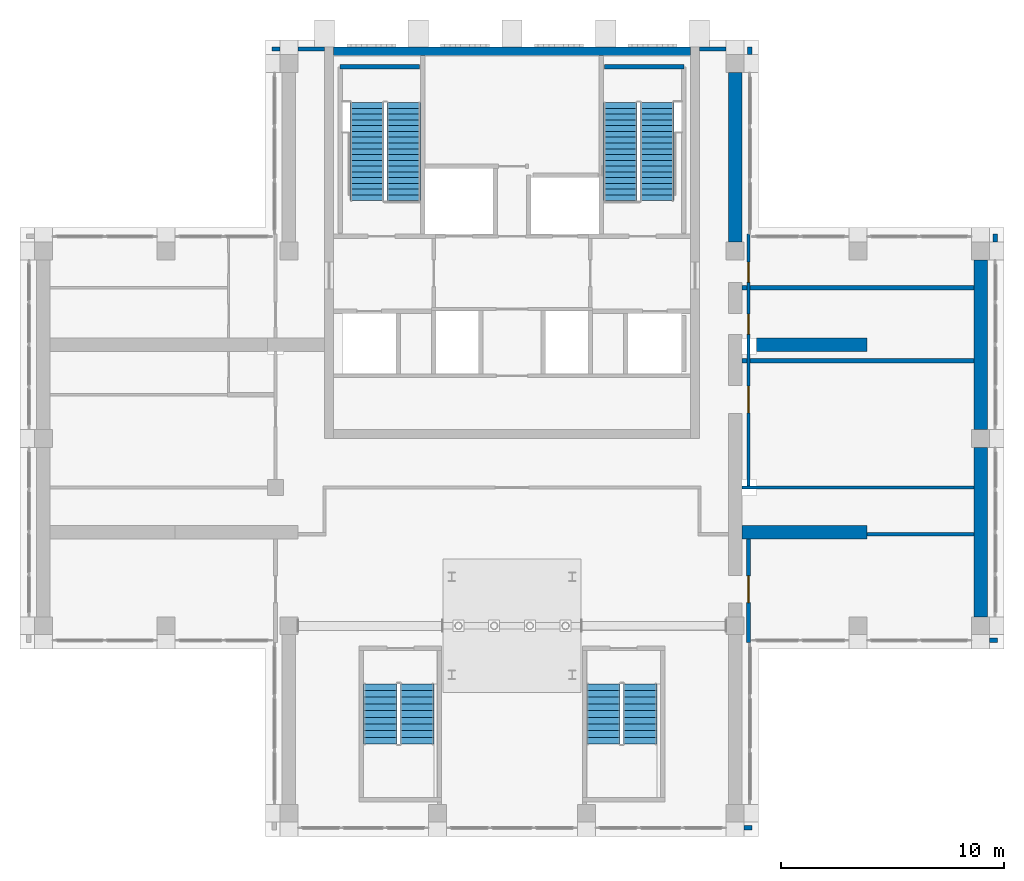
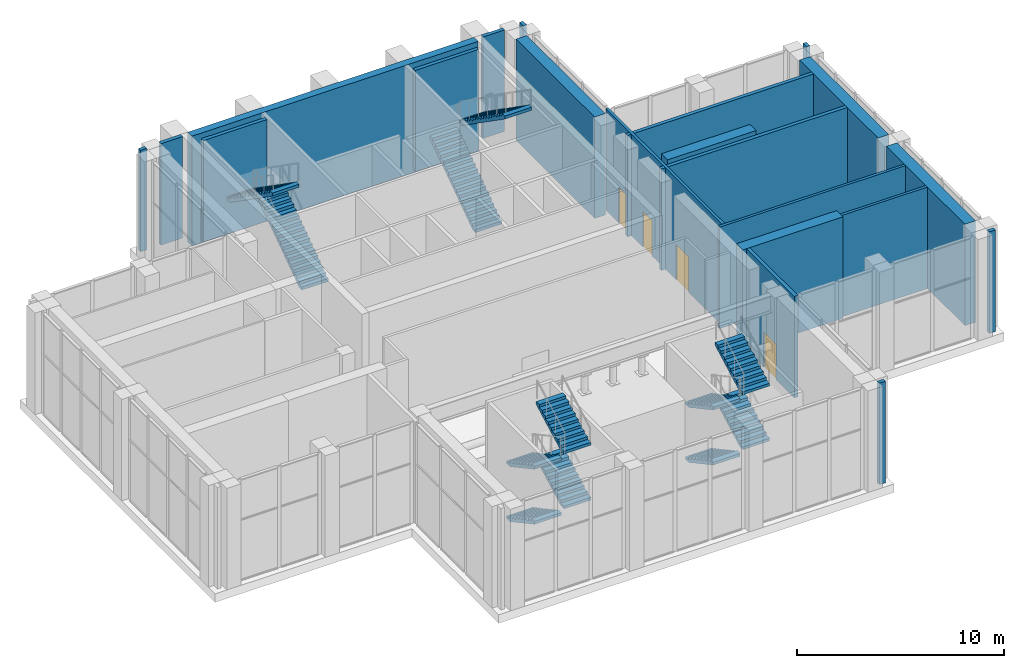
# One storey, part 11 of 14: 21 walls, 12 stair flights, 4 doors, 4 openings, 4 elements without a shape of their own.
"""IFC4 building model written with IfcOpenShell, lengths in metres."""

from ifc_helpers import new_model, si_unit, direction, frame, frame_2d, origin, place, context, subcontext, project, spatial, polyline, rectangle, outline, extrude, material, layer, layer_set, type_object, element, fill, aggregate, save


model = new_model("IFC4")

# Units and contexts
model_context = context("Model", 3, precision=1e-05, world=origin(), true_north=direction((0.0, 1.0)))
body_context = subcontext(model_context, "Body", "Model", "MODEL_VIEW")
ifc_project = project(units=[si_unit("LENGTHUNIT", "METRE"), si_unit("AREAUNIT", "SQUARE_METRE"), si_unit("VOLUMEUNIT", "CUBIC_METRE"), si_unit("PLANEANGLEUNIT", "RADIAN"), si_unit("MASSUNIT", "GRAM", prefix="KILO")], contexts=[model_context])

# Site, building, storey
site_placement = place(None, origin())
site = spatial("IfcSite", under=ifc_project, at=site_placement, CompositionType="ELEMENT")
building_placement = place(site_placement, origin())
building = spatial("IfcBuilding", under=site, at=building_placement, Name="Vermilion Ogive Tower", CompositionType="ELEMENT")
storey_placement = place(building_placement, frame((0.0, 0.0, 278.35009765625)))
storey = spatial("IfcBuildingStorey", under=building, at=storey_placement, Name="L73", CompositionType="ELEMENT", Elevation=278.35009765625)

# Walls
ifc_material_1 = material(Name="Concrete B60", Category="concrete")
ifc_layer_1 = layer(ifc_material_1, 0.39990234375)
ifc_layer_set_1 = layer_set([ifc_layer_1], Name="Core wall 400 B60")
wall_type_1 = type_object("IfcWallType", Name="Core wall 400 B60", PredefinedType="SHEAR", material=ifc_layer_set_1)
wall_1_placement = place(storey_placement, frame((-8.0, 21.550048828125, -0.5), z_axis=(0.0, 0.0, 1.0), x_axis=(1.0, 0.0, 0.0)))
element("IfcWall", 1, at=wall_1_placement, inside=storey, type_object=wall_type_1, Name="L73-CORE-N", PredefinedType="SHEAR", context=body_context, shape_type="SweptSolid", body=[
    extrude(rectangle(XDim=16.0, YDim=0.39990234375, at=frame_2d((8.0, 0.0))), origin(), (0.0, 0.0, 1.0), 6.5),
])
ifc_material_2 = material(Name="Gypsum board partition on steel studs", Category="steel")
ifc_layer_2 = layer(ifc_material_2, 0.14990234375)
ifc_layer_set_2 = layer_set([ifc_layer_2], Name="Partition 150 corridor")
wall_type_2 = type_object("IfcWallType", Name="Partition 150 corridor", PredefinedType="PARTITIONING", material=ifc_layer_set_2)
wall_2_placement = place(storey_placement, frame((15.90087890625, -0.10009765625, 0.0), z_axis=(0.0, 0.0, 1.0), x_axis=(1.0, 0.0, 0.0)))
element("IfcWall", 2, at=wall_2_placement, inside=storey, type_object=wall_type_2, Name="L73-FS-W-W002b", PredefinedType="PARTITIONING", context=body_context, shape_type="SweptSolid", body=[
    extrude(rectangle(XDim=4.798095703125, YDim=0.14990234375, at=frame_2d((2.39892578125, 0.0))), origin(), (0.0, 0.0, 1.0), 6.0),
])
wall_3_placement = place(storey_placement, frame((10.301025390625, 2.0, 0.0), z_axis=(0.0, 0.0, 1.0), x_axis=(1.0, 0.0, 0.0)))
element("IfcWall", 3, at=wall_3_placement, inside=storey, type_object=wall_type_2, Name="L73-FS-W-W005", PredefinedType="PARTITIONING", context=body_context, shape_type="SweptSolid", body=[
    extrude(rectangle(XDim=10.39794921875, YDim=0.14990234375, at=frame_2d((5.198974609375, 0.0))), origin(), (0.0, 0.0, 1.0), 6.0),
])

# Wall, openings, doors
wall_4_placement = place(storey_placement, frame((10.60009765625, 2.074951171875, 0.0), z_axis=(0.0, 0.0, 1.0), x_axis=(0.0, 1.0, 0.0)))
wall_4 = element("IfcWall", 4, at=wall_4_placement, inside=storey, type_object=wall_type_2, Name="L73-FS-W-W018", PredefinedType="PARTITIONING", context=body_context, shape_type="SweptSolid", body=[
    extrude(rectangle(XDim=11.275146484375, YDim=0.14990234375, at=frame_2d((5.6376953125, 0.0))), origin(), (0.0, 0.0, 1.0), 6.0),
])
opening_1_placement = place(wall_4_placement, frame((3.2666015625, 0.0, 0.0)))
opening_1 = element("IfcOpeningElement", 5, at=opening_1_placement, cuts=wall_4, Name="Opening L73S009", PredefinedType="OPENING", context=body_context, shape_type="SweptSolid", body=[
    extrude(rectangle(XDim=1.199951171875, YDim=2.10009765625, at=frame_2d((0.60009765625, 1.050048828125))), frame((0.0, 0.0849609375, 0.0), z_axis=(0.0, -1.0, 0.0), x_axis=(1.0, 0.0, 0.0)), (0.0, 0.0, 1.0), 0.169921875),
])
opening_2_placement = place(wall_4_placement, frame((6.79150390625, 0.0, 0.0)))
opening_2 = element("IfcOpeningElement", 6, at=opening_2_placement, cuts=wall_4, Name="Opening L73S010", PredefinedType="OPENING", context=body_context, shape_type="SweptSolid", body=[
    extrude(rectangle(XDim=0.89990234375, YDim=2.10009765625, at=frame_2d((0.449951171875, 1.050048828125))), frame((0.0, 0.0849609375, 0.0), z_axis=(0.0, -1.0, 0.0), x_axis=(1.0, 0.0, 0.0)), (0.0, 0.0, 1.0), 0.169921875),
])
opening_3_placement = place(wall_4_placement, frame((9.125, 0.0, 0.0)))
opening_3 = element("IfcOpeningElement", 7, at=opening_3_placement, cuts=wall_4, Name="Opening L73S011", PredefinedType="OPENING", context=body_context, shape_type="SweptSolid", body=[
    extrude(rectangle(XDim=0.89990234375, YDim=2.10009765625, at=frame_2d((0.449951171875, 1.050048828125))), frame((0.0, 0.0849609375, 0.0), z_axis=(0.0, -1.0, 0.0), x_axis=(1.0, 0.0, 0.0)), (0.0, 0.0, 1.0), 0.169921875),
])
ifc_material_3 = material(Name="Timber door leaf", Category="wood")
door_type_1 = type_object("IfcDoorType", Name="Room door 1200 x 2100 FD30", OperationType="SINGLE_SWING_LEFT", PredefinedType="DOOR", material=ifc_material_3)
door_1_placement = place(opening_1_placement, origin())
door_1 = element("IfcDoor", 8, at=door_1_placement, inside=storey, type_object=door_type_1, Name="L73-FS-D-D009", OperationType="SINGLE_SWING_RIGHT", OverallHeight=2.10009765625, OverallWidth=1.199951171875, PredefinedType="DOOR", context=body_context, shape_type="SweptSolid", body=[
    extrude(rectangle(XDim=1.199951171875, YDim=2.10009765625, at=frame_2d((0.60009765625, 1.050048828125))), frame((0.0, 0.02490234375, 0.0), z_axis=(0.0, -1.0, 0.0), x_axis=(1.0, 0.0, 0.0)), (0.0, 0.0, 1.0), 0.050048828125),
])
fill(opening_1, door_1)
ifc_material_4 = material(Name="Timber door leaf", Category="wood")
door_type_2 = type_object("IfcDoorType", Name="Room door 900 x 2100 FD30", OperationType="SINGLE_SWING_LEFT", PredefinedType="DOOR", material=ifc_material_4)
door_2_placement = place(opening_2_placement, origin())
door_2 = element("IfcDoor", 9, at=door_2_placement, inside=storey, type_object=door_type_2, Name="L73-FS-D-D010", OperationType="SINGLE_SWING_RIGHT", OverallHeight=2.10009765625, OverallWidth=0.89990234375, PredefinedType="DOOR", context=body_context, shape_type="SweptSolid", body=[
    extrude(rectangle(XDim=0.89990234375, YDim=2.10009765625, at=frame_2d((0.449951171875, 1.050048828125))), frame((0.0, 0.02490234375, 0.0), z_axis=(0.0, -1.0, 0.0), x_axis=(1.0, 0.0, 0.0)), (0.0, 0.0, 1.0), 0.050048828125),
])
fill(opening_2, door_2)
door_3_placement = place(opening_3_placement, origin())
door_3 = element("IfcDoor", 10, at=door_3_placement, inside=storey, type_object=door_type_2, Name="L73-FS-D-D011", OperationType="SINGLE_SWING_RIGHT", OverallHeight=2.10009765625, OverallWidth=0.89990234375, PredefinedType="DOOR", context=body_context, shape_type="SweptSolid", body=[
    extrude(rectangle(XDim=0.89990234375, YDim=2.10009765625, at=frame_2d((0.449951171875, 1.050048828125))), frame((0.0, 0.02490234375, 0.0), z_axis=(0.0, -1.0, 0.0), x_axis=(1.0, 0.0, 0.0)), (0.0, 0.0, 1.0), 0.050048828125),
])
fill(opening_3, door_3)

# Walls
ifc_material_5 = material(Name="Gypsum board partition on steel studs", Category="steel")
ifc_layer_3 = layer(ifc_material_5, 0.199951171875)
ifc_layer_set_3 = layer_set([ifc_layer_3], Name="Partition 200 party")
wall_type_3 = type_object("IfcWallType", Name="Partition 200 party", PredefinedType="PARTITIONING", material=ifc_layer_set_3)
for number, where, z_axis, x_axis, name in (
    (11, (10.301025390625, 7.68310546875, 0.0), (0.0, 0.0, 1.0), (1.0, 0.0, 0.0), "L73-FS-W-W008"),
    (12, (10.301025390625, 10.949951171875, 0.0), (0.0, 0.0, 1.0), (1.0, 0.0, 0.0), "L73-FS-W-W011"),
):
    element("IfcWall", number, at=place(storey_placement, frame(where, z_axis=z_axis, x_axis=x_axis)), inside=storey, type_object=wall_type_3, Name=name, PredefinedType="PARTITIONING", context=body_context, shape_type="SweptSolid", body=[
        extrude(rectangle(XDim=10.39794921875, YDim=0.199951171875, at=frame_2d((5.198974609375, 0.0))), origin(), (0.0, 0.0, 1.0), 6.0),
    ])

# Wall, opening, door
wall_5_placement = place(storey_placement, frame((10.60009765625, -4.949951171875, 0.0), z_axis=(0.0, 0.0, 1.0), x_axis=(0.0, 1.0, 0.0)))
wall_5 = element("IfcWall", 13, at=wall_5_placement, inside=storey, type_object=wall_type_3, Name="L73-FS-W-W017", PredefinedType="PARTITIONING", context=body_context, shape_type="SweptSolid", body=[
    extrude(rectangle(XDim=4.64892578125, YDim=0.199951171875, at=frame_2d((2.324462890625, 0.0))), origin(), (0.0, 0.0, 1.0), 6.0),
])
opening_4_placement = place(wall_5_placement, frame((1.787353515625, 0.0, 0.0)))
opening_4 = element("IfcOpeningElement", 14, at=opening_4_placement, cuts=wall_5, Name="Opening L73S003", PredefinedType="OPENING", context=body_context, shape_type="SweptSolid", body=[
    extrude(rectangle(XDim=1.199951171875, YDim=2.10009765625, at=frame_2d((0.60009765625, 1.050048828125))), frame((0.0, 0.10986328125, 0.0), z_axis=(0.0, -1.0, 0.0), x_axis=(1.0, 0.0, 0.0)), (0.0, 0.0, 1.0), 0.219970703125),
])
door_4_placement = place(opening_4_placement, origin())
door_4 = element("IfcDoor", 15, at=door_4_placement, inside=storey, type_object=door_type_1, Name="L73-FS-D-D003", OperationType="SINGLE_SWING_LEFT", OverallHeight=2.10009765625, OverallWidth=1.199951171875, PredefinedType="DOOR", context=body_context, shape_type="SweptSolid", body=[
    extrude(rectangle(XDim=1.199951171875, YDim=2.10009765625, at=frame_2d((0.60009765625, 1.050048828125))), frame((0.0, 0.02490234375, 0.0), z_axis=(0.0, -1.0, 0.0), x_axis=(1.0, 0.0, 0.0)), (0.0, 0.0, 1.0), 0.050048828125),
])
fill(opening_4, door_4)

# Walls
ifc_material_6 = material(Name="Concrete B60", Category="concrete")
ifc_layer_4 = layer(ifc_material_6, 0.199951171875)
ifc_layer_set_4 = layer_set([ifc_layer_4], Name="Stair shaft wall 200 Concrete B60")
wall_type_4 = type_object("IfcWallType", Name="Stair shaft wall 200 Concrete B60", PredefinedType="SOLIDWALL", material=ifc_layer_set_4)
for number, where, z_axis, x_axis, name in (
    (16, (-7.699951171875, 20.85009765625, 0.0), (0.0, 0.0, 1.0), (1.0, 0.0, 0.0), "L73-SW-R005-N1"),
    (17, (4.14990234375, 20.85009765625, 0.0), (0.0, 0.0, 1.0), (1.0, 0.0, 0.0), "L73-SW-R009-N1"),
):
    element("IfcWall", number, at=place(storey_placement, frame(where, z_axis=z_axis, x_axis=x_axis)), inside=storey, type_object=wall_type_4, Name=name, PredefinedType="SOLIDWALL", context=body_context, shape_type="SweptSolid", body=[
        extrude(rectangle(XDim=3.550048828125, YDim=0.199951171875, at=frame_2d((1.77490234375, 0.0))), origin(), (0.0, 0.0, 1.0), 6.0),
    ])
ifc_material_7 = material(Name="Concrete B60", Category="concrete")
ifc_layer_5 = layer(ifc_material_7, 0.60009765625)
ifc_layer_set_5 = layer_set([ifc_layer_5], Name="Transfer wall 600 B60")
wall_type_5 = type_object("IfcWallType", Name="Transfer wall 600 B60", PredefinedType="SHEAR", material=ifc_layer_set_5)
wall_6_placement = place(storey_placement, frame((10.300048828125, 0.0, 0.0), z_axis=(0.0, 0.0, 1.0), x_axis=(1.0, 0.0, 0.0)))
element("IfcWall", 18, at=wall_6_placement, inside=storey, type_object=wall_type_5, Name="L73-TW-7", PredefinedType="SHEAR", context=body_context, shape_type="SweptSolid", body=[
    extrude(rectangle(XDim=5.599853515625, YDim=0.60009765625, at=frame_2d((2.7998046875, 0.0))), origin(), (0.0, 0.0, 1.0), 6.0),
])
wall_7_placement = place(storey_placement, frame((21.0, -3.800048828125, 0.0), z_axis=(0.0, 0.0, 1.0), x_axis=(0.0, 1.0, 0.0)))
element("IfcWall", 19, at=wall_7_placement, inside=storey, type_object=wall_type_5, Name="L73-TW-8", PredefinedType="SHEAR", context=body_context, shape_type="SweptSolid", body=[
    extrude(rectangle(XDim=7.60009765625, YDim=0.60009765625, at=frame_2d((3.800048828125, 0.0))), origin(), (0.0, 0.0, 1.0), 6.0),
])
wall_8_placement = place(storey_placement, frame((10.949951171875, 8.39990234375, 0.0), z_axis=(0.0, 0.0, 1.0), x_axis=(1.0, 0.0, 0.0)))
element("IfcWall", 20, at=wall_8_placement, inside=storey, type_object=wall_type_5, Name="L73-TW-12", PredefinedType="SHEAR", context=body_context, shape_type="SweptSolid", body=[
    extrude(rectangle(XDim=4.949951171875, YDim=0.60009765625, at=frame_2d((2.47509765625, 0.0))), origin(), (0.0, 0.0, 1.0), 6.0),
])
wall_9_placement = place(storey_placement, frame((21.0, 4.60009765625, 0.0), z_axis=(0.0, 0.0, 1.0), x_axis=(0.0, 1.0, 0.0)))
element("IfcWall", 21, at=wall_9_placement, inside=storey, type_object=wall_type_5, Name="L73-TW-13", PredefinedType="SHEAR", context=body_context, shape_type="SweptSolid", body=[
    extrude(rectangle(XDim=7.599853515625, YDim=0.60009765625, at=frame_2d((3.7998046875, 0.0))), origin(), (0.0, 0.0, 1.0), 6.0),
])
wall_10_placement = place(storey_placement, frame((10.0, 13.0, 0.0), z_axis=(0.0, 0.0, 1.0), x_axis=(0.0, 1.0, 0.0)))
element("IfcWall", 22, at=wall_10_placement, inside=storey, type_object=wall_type_5, Name="L73-TW-15", PredefinedType="SHEAR", context=body_context, shape_type="SweptSolid", body=[
    extrude(rectangle(XDim=7.60009765625, YDim=0.60009765625, at=frame_2d((3.800048828125, 0.0))), origin(), (0.0, 0.0, 1.0), 6.0),
])
ifc_material_8 = material(Name="Aluminium window wall framing", Category="aluminium")
ifc_layer_6 = layer(ifc_material_8, 0.199951171875)
ifc_layer_set_6 = layer_set([ifc_layer_6], Name="Window wall")
wall_type_6 = type_object("IfcWallType", Name="Window wall", PredefinedType="STANDARD", material=ifc_layer_set_6)
for number, where, z_axis, x_axis, name in (
    (23, (10.39990234375, -13.25, 0.0), (0.0, 0.0, 1.0), (1.0, 0.0, 0.0), "Window wall S4"),
    (24, (21.39990234375, -4.85009765625, 0.0), (0.0, 0.0, 1.0), (1.0, 0.0, 0.0), "Window wall X23"),
    (25, (21.64990234375, 13.0, 0.0), (0.0, 0.0, 1.0), (0.0, 1.0, 0.0), "Window wall E3"),
    (26, (10.64990234375, 21.39990234375, 0.0), (0.0, 0.0, 1.0), (0.0, 1.0, 0.0), "Window wall X42"),
):
    element("IfcWall", number, at=place(storey_placement, frame(where, z_axis=z_axis, x_axis=x_axis)), inside=storey, type_object=wall_type_6, Name=name, PredefinedType="STANDARD", context=body_context, shape_type="SweptSolid", body=[
        extrude(rectangle(XDim=0.35009765625, YDim=0.199951171875, at=frame_2d((0.175048828125, 0.0))), origin(), (0.0, 0.0, 1.0), 6.0),
    ])
for number, where, z_axis, x_axis, name in (
    (27, (9.60009765625, 21.64990234375, 0.0), (0.0, 0.0, 1.0), (-1.0, 0.0, 0.0), "Window wall N11"),
    (28, (-8.39990234375, 21.64990234375, 0.0), (0.0, 0.0, 1.0), (-1.0, 0.0, 0.0), "Window wall N21"),
):
    element("IfcWall", number, at=place(storey_placement, frame(where, z_axis=z_axis, x_axis=x_axis)), inside=storey, type_object=wall_type_6, Name=name, PredefinedType="STANDARD", context=body_context, shape_type="SweptSolid", body=[
        extrude(rectangle(XDim=1.2001953125, YDim=0.199951171875, at=frame_2d((0.60009765625, 0.0))), origin(), (0.0, 0.0, 1.0), 6.0),
    ])
wall_11_placement = place(storey_placement, frame((-10.39990234375, 21.64990234375, 0.0), z_axis=(0.0, 0.0, 1.0), x_axis=(-1.0, 0.0, 0.0)))
element("IfcWall", 29, at=wall_11_placement, inside=storey, type_object=wall_type_6, Name="Window wall N22", PredefinedType="STANDARD", context=body_context, shape_type="SweptSolid", body=[
    extrude(rectangle(XDim=0.35009765625, YDim=0.199951171875, at=frame_2d((0.175048828125, 0.0))), origin(), (0.0, 0.0, 1.0), 6.0),
])

# Stair, stair flights
ifc_material_9 = material(Name="Concrete B40", Category="concrete")
stair_type = type_object("IfcStairType", Name="Exit stair 1500", PredefinedType="HALF_TURN_STAIR", material=ifc_material_9)
stair_1_placement = place(storey_placement, origin())
stair_1 = element("IfcStair", 30, at=stair_1_placement, inside=storey, type_object=stair_type, Name="L73 Exit Stair ST1", PredefinedType="HALF_TURN_STAIR")
ifc_material_10 = material(Name="Concrete B40", Category="concrete")
stair_flight_type = type_object("IfcStairFlightType", Name="Stair flight 1500", PredefinedType="STRAIGHT", material=ifc_material_10)
stair_flight_1_placement = place(storey_placement, frame((-4.85009765625, 14.85009765625, 0.0), z_axis=(0.0, 0.0, 1.0), x_axis=(0.0, 1.0, 0.0)))
stair_flight_1 = element("IfcStairFlight", 31, at=stair_flight_1_placement, type_object=stair_flight_type, Name="ST1 flight 1", NumberOfRisers=18, NumberOfTreads=17, PredefinedType="STRAIGHT", RiserHeight=0.180555556, TreadLength=0.258823529, context=body_context, shape_type="SweptSolid", body=[
    extrude(outline(polyline([(0.0, 0.0), (0.0, 0.1806640625), (0.2587890625, 0.1806640625), (0.2587890625, 0.361083984375), (0.517578125, 0.361083984375), (0.517578125, 0.541748046875), (0.7763671875, 0.541748046875), (0.7763671875, 0.72216796875), (1.035400390625, 0.72216796875), (1.035400390625, 0.90283203125), (1.294189453125, 0.90283203125), (1.294189453125, 1.083251953125), (1.552978515625, 1.083251953125), (1.552978515625, 1.263916015625), (1.811767578125, 1.263916015625), (1.811767578125, 1.4443359375), (2.070556640625, 1.4443359375), (2.070556640625, 1.625), (2.329345703125, 1.625), (2.329345703125, 1.8056640625), (2.588134765625, 1.8056640625), (2.588134765625, 1.986083984375), (2.84716796875, 1.986083984375), (2.84716796875, 2.166748046875), (3.10595703125, 2.166748046875), (3.10595703125, 2.34716796875), (3.36474609375, 2.34716796875), (3.36474609375, 2.52783203125), (3.62353515625, 2.52783203125), (3.62353515625, 2.708251953125), (3.88232421875, 2.708251953125), (3.88232421875, 2.888916015625), (4.14111328125, 2.888916015625), (4.14111328125, 3.0693359375), (4.39990234375, 3.0693359375), (4.39990234375, 3.25), (4.39990234375, 2.88671875), (0.261962890625, 0.0), (0.0, 0.0)])), frame((0.0, 0.75, 0.0), z_axis=(0.0, -1.0, 0.0), x_axis=(1.0, 0.0, 0.0)), (0.0, 0.0, 1.0), 1.5),
])
stair_flight_2_placement = place(storey_placement, frame((-6.5, 19.25, 3.25), z_axis=(0.0, 0.0, 1.0), x_axis=(0.0, -1.0, 0.0)))
stair_flight_2 = element("IfcStairFlight", 32, at=stair_flight_2_placement, type_object=stair_flight_type, Name="ST1 flight 2", NumberOfRisers=18, NumberOfTreads=17, PredefinedType="STRAIGHT", RiserHeight=0.180555556, TreadLength=0.258823529, context=body_context, shape_type="SweptSolid", body=[
    extrude(outline(polyline([(0.0, 0.0), (0.0, 0.1806640625), (0.2587890625, 0.1806640625), (0.2587890625, 0.361083984375), (0.517578125, 0.361083984375), (0.517578125, 0.541748046875), (0.7763671875, 0.541748046875), (0.7763671875, 0.72216796875), (1.035400390625, 0.72216796875), (1.035400390625, 0.90283203125), (1.294189453125, 0.90283203125), (1.294189453125, 1.083251953125), (1.552978515625, 1.083251953125), (1.552978515625, 1.263916015625), (1.811767578125, 1.263916015625), (1.811767578125, 1.4443359375), (2.070556640625, 1.4443359375), (2.070556640625, 1.625), (2.329345703125, 1.625), (2.329345703125, 1.8056640625), (2.588134765625, 1.8056640625), (2.588134765625, 1.986083984375), (2.84716796875, 1.986083984375), (2.84716796875, 2.166748046875), (3.10595703125, 2.166748046875), (3.10595703125, 2.34716796875), (3.36474609375, 2.34716796875), (3.36474609375, 2.52783203125), (3.62353515625, 2.52783203125), (3.62353515625, 2.708251953125), (3.88232421875, 2.708251953125), (3.88232421875, 2.888916015625), (4.14111328125, 2.888916015625), (4.14111328125, 3.0693359375), (4.39990234375, 3.0693359375), (4.39990234375, 3.25), (4.39990234375, 2.88671875), (0.261962890625, 0.0), (0.0, 0.0)])), frame((0.0, 0.75, 0.0), z_axis=(0.0, -1.0, 0.0), x_axis=(1.0, 0.0, 0.0)), (0.0, 0.0, 1.0), 1.5),
])
aggregate(stair_1, [stair_flight_1, stair_flight_2])

stair_2_placement = place(storey_placement, origin())
stair_2 = element("IfcStair", 33, at=stair_2_placement, inside=storey, type_object=stair_type, Name="L73 Exit Stair ST2", PredefinedType="HALF_TURN_STAIR")
stair_flight_3_placement = place(storey_placement, frame((4.85009765625, 14.85009765625, 0.0), z_axis=(0.0, 0.0, 1.0), x_axis=(0.0, 1.0, 0.0)))
stair_flight_3 = element("IfcStairFlight", 34, at=stair_flight_3_placement, type_object=stair_flight_type, Name="ST2 flight 1", NumberOfRisers=18, NumberOfTreads=17, PredefinedType="STRAIGHT", RiserHeight=0.180555556, TreadLength=0.258823529, context=body_context, shape_type="SweptSolid", body=[
    extrude(outline(polyline([(0.0, 0.0), (0.0, 0.1806640625), (0.2587890625, 0.1806640625), (0.2587890625, 0.361083984375), (0.517578125, 0.361083984375), (0.517578125, 0.541748046875), (0.7763671875, 0.541748046875), (0.7763671875, 0.72216796875), (1.035400390625, 0.72216796875), (1.035400390625, 0.90283203125), (1.294189453125, 0.90283203125), (1.294189453125, 1.083251953125), (1.552978515625, 1.083251953125), (1.552978515625, 1.263916015625), (1.811767578125, 1.263916015625), (1.811767578125, 1.4443359375), (2.070556640625, 1.4443359375), (2.070556640625, 1.625), (2.329345703125, 1.625), (2.329345703125, 1.8056640625), (2.588134765625, 1.8056640625), (2.588134765625, 1.986083984375), (2.84716796875, 1.986083984375), (2.84716796875, 2.166748046875), (3.10595703125, 2.166748046875), (3.10595703125, 2.34716796875), (3.36474609375, 2.34716796875), (3.36474609375, 2.52783203125), (3.62353515625, 2.52783203125), (3.62353515625, 2.708251953125), (3.88232421875, 2.708251953125), (3.88232421875, 2.888916015625), (4.14111328125, 2.888916015625), (4.14111328125, 3.0693359375), (4.39990234375, 3.0693359375), (4.39990234375, 3.25), (4.39990234375, 2.88671875), (0.261962890625, 0.0), (0.0, 0.0)])), frame((0.0, 0.75, 0.0), z_axis=(0.0, -1.0, 0.0), x_axis=(1.0, 0.0, 0.0)), (0.0, 0.0, 1.0), 1.5),
])
stair_flight_4_placement = place(storey_placement, frame((6.5, 19.25, 3.25), z_axis=(0.0, 0.0, 1.0), x_axis=(0.0, -1.0, 0.0)))
stair_flight_4 = element("IfcStairFlight", 35, at=stair_flight_4_placement, type_object=stair_flight_type, Name="ST2 flight 2", NumberOfRisers=18, NumberOfTreads=17, PredefinedType="STRAIGHT", RiserHeight=0.180555556, TreadLength=0.258823529, context=body_context, shape_type="SweptSolid", body=[
    extrude(outline(polyline([(0.0, 0.0), (0.0, 0.1806640625), (0.2587890625, 0.1806640625), (0.2587890625, 0.361083984375), (0.517578125, 0.361083984375), (0.517578125, 0.541748046875), (0.7763671875, 0.541748046875), (0.7763671875, 0.72216796875), (1.035400390625, 0.72216796875), (1.035400390625, 0.90283203125), (1.294189453125, 0.90283203125), (1.294189453125, 1.083251953125), (1.552978515625, 1.083251953125), (1.552978515625, 1.263916015625), (1.811767578125, 1.263916015625), (1.811767578125, 1.4443359375), (2.070556640625, 1.4443359375), (2.070556640625, 1.625), (2.329345703125, 1.625), (2.329345703125, 1.8056640625), (2.588134765625, 1.8056640625), (2.588134765625, 1.986083984375), (2.84716796875, 1.986083984375), (2.84716796875, 2.166748046875), (3.10595703125, 2.166748046875), (3.10595703125, 2.34716796875), (3.36474609375, 2.34716796875), (3.36474609375, 2.52783203125), (3.62353515625, 2.52783203125), (3.62353515625, 2.708251953125), (3.88232421875, 2.708251953125), (3.88232421875, 2.888916015625), (4.14111328125, 2.888916015625), (4.14111328125, 3.0693359375), (4.39990234375, 3.0693359375), (4.39990234375, 3.25), (4.39990234375, 2.88671875), (0.261962890625, 0.0), (0.0, 0.0)])), frame((0.0, 0.75, 0.0), z_axis=(0.0, -1.0, 0.0), x_axis=(1.0, 0.0, 0.0)), (0.0, 0.0, 1.0), 1.5),
])
aggregate(stair_2, [stair_flight_3, stair_flight_4])

stair_3_placement = place(storey_placement, origin())
stair_3 = element("IfcStair", 36, at=stair_3_placement, inside=storey, type_object=stair_type, Name="L73 Exit Stair ST6", PredefinedType="HALF_TURN_STAIR")
stair_flight_5_placement = place(storey_placement, frame((4.10009765625, -6.800048828125, 0.0), z_axis=(0.0, 0.0, 1.0), x_axis=(0.0, -1.0, 0.0)))
stair_flight_5 = element("IfcStairFlight", 37, at=stair_flight_5_placement, type_object=stair_flight_type, Name="ST6 flight 1", NumberOfRisers=10, NumberOfTreads=9, PredefinedType="STRAIGHT", RiserHeight=0.1625, TreadLength=0.3, context=body_context, shape_type="SweptSolid", body=[
    extrude(outline(polyline([(0.0, 0.0), (0.0, 0.16259765625), (0.300048828125, 0.16259765625), (0.300048828125, 0.324951171875), (0.60009765625, 0.324951171875), (0.60009765625, 0.487548828125), (0.89990234375, 0.487548828125), (0.89990234375, 0.64990234375), (1.199951171875, 0.64990234375), (1.199951171875, 0.8125), (1.5, 0.8125), (1.5, 0.97509765625), (1.800048828125, 0.97509765625), (1.800048828125, 1.137451171875), (2.10009765625, 1.137451171875), (2.10009765625, 1.300048828125), (2.39990234375, 1.300048828125), (2.39990234375, 1.46240234375), (2.699951171875, 1.46240234375), (2.699951171875, 1.625), (2.699951171875, 1.2919921875), (0.314697265625, 0.0), (0.0, 0.0)])), frame((0.0, 0.75, 0.0), z_axis=(0.0, -1.0, 0.0), x_axis=(1.0, 0.0, 0.0)), (0.0, 0.0, 1.0), 1.5),
])
stair_flight_6_placement = place(storey_placement, frame((5.75, -9.5, 1.625), z_axis=(0.0, 0.0, 1.0), x_axis=(0.0, 1.0, 0.0)))
stair_flight_6 = element("IfcStairFlight", 38, at=stair_flight_6_placement, type_object=stair_flight_type, Name="ST6 flight 2", NumberOfRisers=10, NumberOfTreads=9, PredefinedType="STRAIGHT", RiserHeight=0.1625, TreadLength=0.3, context=body_context, shape_type="SweptSolid", body=[
    extrude(outline(polyline([(0.0, 0.0), (0.0, 0.16259765625), (0.300048828125, 0.16259765625), (0.300048828125, 0.324951171875), (0.60009765625, 0.324951171875), (0.60009765625, 0.487548828125), (0.89990234375, 0.487548828125), (0.89990234375, 0.64990234375), (1.199951171875, 0.64990234375), (1.199951171875, 0.8125), (1.5, 0.8125), (1.5, 0.97509765625), (1.800048828125, 0.97509765625), (1.800048828125, 1.137451171875), (2.10009765625, 1.137451171875), (2.10009765625, 1.300048828125), (2.39990234375, 1.300048828125), (2.39990234375, 1.46240234375), (2.699951171875, 1.46240234375), (2.699951171875, 1.625), (2.699951171875, 1.2919921875), (0.314697265625, 0.0), (0.0, 0.0)])), frame((0.0, 0.75, 0.0), z_axis=(0.0, -1.0, 0.0), x_axis=(1.0, 0.0, 0.0)), (0.0, 0.0, 1.0), 1.5),
])
stair_flight_7_placement = place(storey_placement, frame((4.10009765625, -6.800048828125, 3.25), z_axis=(0.0, 0.0, 1.0), x_axis=(0.0, -1.0, 0.0)))
stair_flight_7 = element("IfcStairFlight", 39, at=stair_flight_7_placement, type_object=stair_flight_type, Name="ST6 flight 3", NumberOfRisers=10, NumberOfTreads=9, PredefinedType="STRAIGHT", RiserHeight=0.1625, TreadLength=0.3, context=body_context, shape_type="SweptSolid", body=[
    extrude(outline(polyline([(0.0, 0.0), (0.0, 0.16259765625), (0.300048828125, 0.16259765625), (0.300048828125, 0.324951171875), (0.60009765625, 0.324951171875), (0.60009765625, 0.487548828125), (0.89990234375, 0.487548828125), (0.89990234375, 0.64990234375), (1.199951171875, 0.64990234375), (1.199951171875, 0.8125), (1.5, 0.8125), (1.5, 0.97509765625), (1.800048828125, 0.97509765625), (1.800048828125, 1.137451171875), (2.10009765625, 1.137451171875), (2.10009765625, 1.300048828125), (2.39990234375, 1.300048828125), (2.39990234375, 1.46240234375), (2.699951171875, 1.46240234375), (2.699951171875, 1.625), (2.699951171875, 1.2919921875), (0.314697265625, 0.0), (0.0, 0.0)])), frame((0.0, 0.75, 0.0), z_axis=(0.0, -1.0, 0.0), x_axis=(1.0, 0.0, 0.0)), (0.0, 0.0, 1.0), 1.5),
])
stair_flight_8_placement = place(storey_placement, frame((5.75, -9.5, 4.875), z_axis=(0.0, 0.0, 1.0), x_axis=(0.0, 1.0, 0.0)))
stair_flight_8 = element("IfcStairFlight", 40, at=stair_flight_8_placement, type_object=stair_flight_type, Name="ST6 flight 4", NumberOfRisers=10, NumberOfTreads=9, PredefinedType="STRAIGHT", RiserHeight=0.1625, TreadLength=0.3, context=body_context, shape_type="SweptSolid", body=[
    extrude(outline(polyline([(0.0, 0.0), (0.0, 0.16259765625), (0.300048828125, 0.16259765625), (0.300048828125, 0.324951171875), (0.60009765625, 0.324951171875), (0.60009765625, 0.487548828125), (0.89990234375, 0.487548828125), (0.89990234375, 0.64990234375), (1.199951171875, 0.64990234375), (1.199951171875, 0.8125), (1.5, 0.8125), (1.5, 0.97509765625), (1.800048828125, 0.97509765625), (1.800048828125, 1.137451171875), (2.10009765625, 1.137451171875), (2.10009765625, 1.300048828125), (2.39990234375, 1.300048828125), (2.39990234375, 1.46240234375), (2.699951171875, 1.46240234375), (2.699951171875, 1.625), (2.699951171875, 1.2919921875), (0.314697265625, 0.0), (0.0, 0.0)])), frame((0.0, 0.75, 0.0), z_axis=(0.0, -1.0, 0.0), x_axis=(1.0, 0.0, 0.0)), (0.0, 0.0, 1.0), 1.5),
])
aggregate(stair_3, [stair_flight_5, stair_flight_6, stair_flight_7, stair_flight_8])

stair_4_placement = place(storey_placement, origin())
stair_4 = element("IfcStair", 41, at=stair_4_placement, inside=storey, type_object=stair_type, Name="L73 Exit Stair ST7", PredefinedType="HALF_TURN_STAIR")
stair_flight_9_placement = place(storey_placement, frame((-5.89990234375, -6.800048828125, 0.0), z_axis=(0.0, 0.0, 1.0), x_axis=(0.0, -1.0, 0.0)))
stair_flight_9 = element("IfcStairFlight", 42, at=stair_flight_9_placement, type_object=stair_flight_type, Name="ST7 flight 1", NumberOfRisers=10, NumberOfTreads=9, PredefinedType="STRAIGHT", RiserHeight=0.1625, TreadLength=0.3, context=body_context, shape_type="SweptSolid", body=[
    extrude(outline(polyline([(0.0, 0.0), (0.0, 0.16259765625), (0.300048828125, 0.16259765625), (0.300048828125, 0.324951171875), (0.60009765625, 0.324951171875), (0.60009765625, 0.487548828125), (0.89990234375, 0.487548828125), (0.89990234375, 0.64990234375), (1.199951171875, 0.64990234375), (1.199951171875, 0.8125), (1.5, 0.8125), (1.5, 0.97509765625), (1.800048828125, 0.97509765625), (1.800048828125, 1.137451171875), (2.10009765625, 1.137451171875), (2.10009765625, 1.300048828125), (2.39990234375, 1.300048828125), (2.39990234375, 1.46240234375), (2.699951171875, 1.46240234375), (2.699951171875, 1.625), (2.699951171875, 1.2919921875), (0.314697265625, 0.0), (0.0, 0.0)])), frame((0.0, 0.75, 0.0), z_axis=(0.0, -1.0, 0.0), x_axis=(1.0, 0.0, 0.0)), (0.0, 0.0, 1.0), 1.5),
])
stair_flight_10_placement = place(storey_placement, frame((-4.25, -9.5, 1.625), z_axis=(0.0, 0.0, 1.0), x_axis=(0.0, 1.0, 0.0)))
stair_flight_10 = element("IfcStairFlight", 43, at=stair_flight_10_placement, type_object=stair_flight_type, Name="ST7 flight 2", NumberOfRisers=10, NumberOfTreads=9, PredefinedType="STRAIGHT", RiserHeight=0.1625, TreadLength=0.3, context=body_context, shape_type="SweptSolid", body=[
    extrude(outline(polyline([(0.0, 0.0), (0.0, 0.16259765625), (0.300048828125, 0.16259765625), (0.300048828125, 0.324951171875), (0.60009765625, 0.324951171875), (0.60009765625, 0.487548828125), (0.89990234375, 0.487548828125), (0.89990234375, 0.64990234375), (1.199951171875, 0.64990234375), (1.199951171875, 0.8125), (1.5, 0.8125), (1.5, 0.97509765625), (1.800048828125, 0.97509765625), (1.800048828125, 1.137451171875), (2.10009765625, 1.137451171875), (2.10009765625, 1.300048828125), (2.39990234375, 1.300048828125), (2.39990234375, 1.46240234375), (2.699951171875, 1.46240234375), (2.699951171875, 1.625), (2.699951171875, 1.2919921875), (0.314697265625, 0.0), (0.0, 0.0)])), frame((0.0, 0.75, 0.0), z_axis=(0.0, -1.0, 0.0), x_axis=(1.0, 0.0, 0.0)), (0.0, 0.0, 1.0), 1.5),
])
stair_flight_11_placement = place(storey_placement, frame((-5.89990234375, -6.800048828125, 3.25), z_axis=(0.0, 0.0, 1.0), x_axis=(0.0, -1.0, 0.0)))
stair_flight_11 = element("IfcStairFlight", 44, at=stair_flight_11_placement, type_object=stair_flight_type, Name="ST7 flight 3", NumberOfRisers=10, NumberOfTreads=9, PredefinedType="STRAIGHT", RiserHeight=0.1625, TreadLength=0.3, context=body_context, shape_type="SweptSolid", body=[
    extrude(outline(polyline([(0.0, 0.0), (0.0, 0.16259765625), (0.300048828125, 0.16259765625), (0.300048828125, 0.324951171875), (0.60009765625, 0.324951171875), (0.60009765625, 0.487548828125), (0.89990234375, 0.487548828125), (0.89990234375, 0.64990234375), (1.199951171875, 0.64990234375), (1.199951171875, 0.8125), (1.5, 0.8125), (1.5, 0.97509765625), (1.800048828125, 0.97509765625), (1.800048828125, 1.137451171875), (2.10009765625, 1.137451171875), (2.10009765625, 1.300048828125), (2.39990234375, 1.300048828125), (2.39990234375, 1.46240234375), (2.699951171875, 1.46240234375), (2.699951171875, 1.625), (2.699951171875, 1.2919921875), (0.314697265625, 0.0), (0.0, 0.0)])), frame((0.0, 0.75, 0.0), z_axis=(0.0, -1.0, 0.0), x_axis=(1.0, 0.0, 0.0)), (0.0, 0.0, 1.0), 1.5),
])
stair_flight_12_placement = place(storey_placement, frame((-4.25, -9.5, 4.875), z_axis=(0.0, 0.0, 1.0), x_axis=(0.0, 1.0, 0.0)))
stair_flight_12 = element("IfcStairFlight", 45, at=stair_flight_12_placement, type_object=stair_flight_type, Name="ST7 flight 4", NumberOfRisers=10, NumberOfTreads=9, PredefinedType="STRAIGHT", RiserHeight=0.1625, TreadLength=0.3, context=body_context, shape_type="SweptSolid", body=[
    extrude(outline(polyline([(0.0, 0.0), (0.0, 0.16259765625), (0.300048828125, 0.16259765625), (0.300048828125, 0.324951171875), (0.60009765625, 0.324951171875), (0.60009765625, 0.487548828125), (0.89990234375, 0.487548828125), (0.89990234375, 0.64990234375), (1.199951171875, 0.64990234375), (1.199951171875, 0.8125), (1.5, 0.8125), (1.5, 0.97509765625), (1.800048828125, 0.97509765625), (1.800048828125, 1.137451171875), (2.10009765625, 1.137451171875), (2.10009765625, 1.300048828125), (2.39990234375, 1.300048828125), (2.39990234375, 1.46240234375), (2.699951171875, 1.46240234375), (2.699951171875, 1.625), (2.699951171875, 1.2919921875), (0.314697265625, 0.0), (0.0, 0.0)])), frame((0.0, 0.75, 0.0), z_axis=(0.0, -1.0, 0.0), x_axis=(1.0, 0.0, 0.0)), (0.0, 0.0, 1.0), 1.5),
])
aggregate(stair_4, [stair_flight_9, stair_flight_10, stair_flight_11, stair_flight_12])

save(model, "model.ifc")
